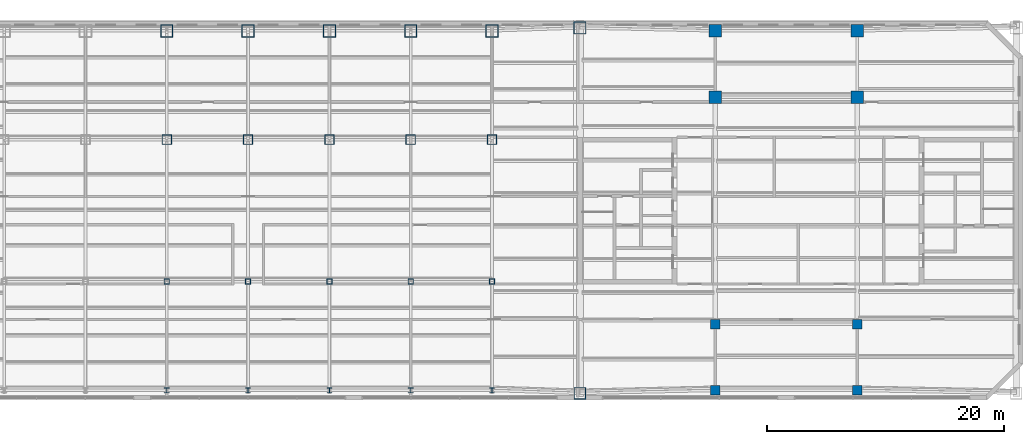
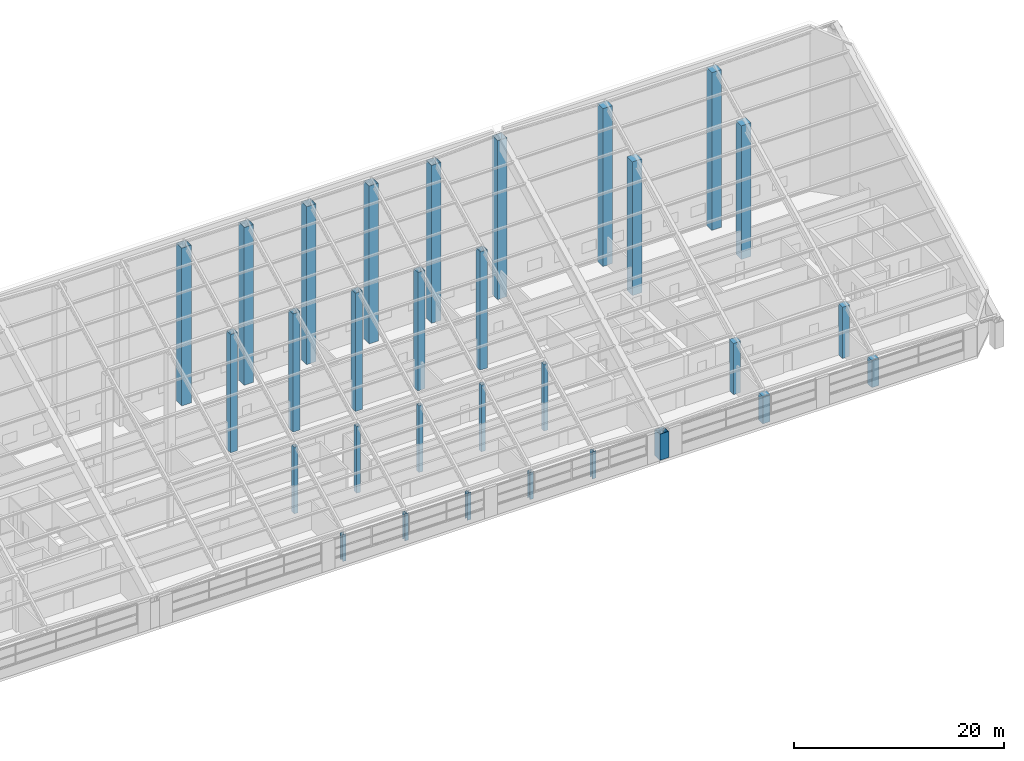
# One storey, part 2 of 28: 30 columns.
"""IFC4 building model written with IfcOpenShell, lengths in metres."""

from ifc_helpers import new_model, si_unit, direction, frame, origin, origin_2d, place, context, subcontext, project, spatial, rectangle, hollow_rectangle, i_section, extrude, material, material_profile, profile_set, type_object, element, save


model = new_model("IFC4")

# Units and contexts
model_context = context("Model", 3, precision=1e-05, world=origin(), true_north=direction((0.0, 1.0)))
body_context = subcontext(model_context, "Body", "Model", "MODEL_VIEW")
ifc_project = project(units=[si_unit("LENGTHUNIT", "METRE"), si_unit("AREAUNIT", "SQUARE_METRE"), si_unit("VOLUMEUNIT", "CUBIC_METRE"), si_unit("PLANEANGLEUNIT", "RADIAN"), si_unit("MASSUNIT", "GRAM", prefix="KILO")], contexts=[model_context])

# Site, building, storey
site_placement = place(None, origin())
site = spatial("IfcSite", under=ifc_project, at=site_placement, CompositionType="ELEMENT")
building_placement = place(site_placement, origin())
building = spatial("IfcBuilding", under=site, at=building_placement, Name="Tuart Gate Housing", CompositionType="ELEMENT")
storey_placement = place(building_placement, frame((0.0, 0.0, 243.89990234375)))
storey = spatial("IfcBuildingStorey", under=building, at=storey_placement, Name="L68", CompositionType="ELEMENT", Elevation=243.89990234375)

# Columns
ifc_material_1 = material(Name="Steel Grade 350", Category="steel")
ifc_material_profile_1 = material_profile(ifc_material_1, i_section(OverallWidth=0.39990234375, OverallDepth=0.429931640625, WebThickness=0.028076171875, FlangeThickness=0.0400390625, at=origin_2d()), Name="400WC328")
ifc_profile_set_1 = profile_set([ifc_material_profile_1], Name="Steel Grade 350")
column_type_1 = type_object("IfcColumnType", Name="Link column 400 WC328", PredefinedType="COLUMN", material=ifc_profile_set_1)
for number, where, z_axis, x_axis, name in (
    (1, (96.625, 54.800048828125, 0.0), (0.0, 0.0, 1.0), (1.0, 0.0, 0.0), "Link column line 1 point 3 L68"),
    (2, (103.5, 54.800048828125, 0.0), (0.0, 0.0, 1.0), (1.0, 0.0, 0.0), "Link column line 1 point 4 L68"),
    (3, (110.375, 54.800048828125, 0.0), (0.0, 0.0, 1.0), (1.0, 0.0, 0.0), "Link column line 1 point 5 L68"),
    (4, (117.25, 54.800048828125, 0.0), (0.0, 0.0, 1.0), (1.0, 0.0, 0.0), "Link column line 1 point 6 L68"),
    (5, (124.125, 54.800048828125, 0.0), (0.0, 0.0, 1.0), (1.0, 0.0, 0.0), "Link column line 1 point 7 L68"),
):
    element("IfcColumn", number, at=place(storey_placement, frame(where, z_axis=z_axis, x_axis=x_axis)), inside=storey, type_object=column_type_1, Name=name, PredefinedType="COLUMN", context=body_context, shape_type="SweptSolid", body=[
        extrude(i_section(OverallWidth=0.39990234375, OverallDepth=0.429931640625, WebThickness=0.028076171875, FlangeThickness=0.0400390625, at=origin_2d()), origin(), (0.0, 0.0, 1.0), 3.16259765625),
    ])
ifc_material_2 = material(Name="Steel Grade 350", Category="steel")
ifc_material_profile_2 = material_profile(ifc_material_2, hollow_rectangle(XDim=1.050048828125, YDim=1.050048828125, WallThickness=0.0439453125, at=origin_2d()), Name="BOX 1050x1050x44")
ifc_profile_set_2 = profile_set([ifc_material_profile_2], Name="Steel Grade 350")
column_type_2 = type_object("IfcColumnType", Name="Link column BOX 1050x1050x44", PredefinedType="COLUMN", material=ifc_profile_set_2)
for number, where, z_axis, x_axis, name in (
    (6, (96.625, 85.199951171875, 0.0), (0.0, 0.0, 1.0), (1.0, 0.0, 0.0), "Link column line 4 point 3 L68"),
    (7, (103.5, 85.199951171875, 0.0), (0.0, 0.0, 1.0), (1.0, 0.0, 0.0), "Link column line 4 point 4 L68"),
    (8, (110.375, 85.199951171875, 0.0), (0.0, 0.0, 1.0), (1.0, 0.0, 0.0), "Link column line 4 point 5 L68"),
    (9, (117.25, 85.199951171875, 0.0), (0.0, 0.0, 1.0), (1.0, 0.0, 0.0), "Link column line 4 point 6 L68"),
    (10, (124.125, 85.199951171875, 0.0), (0.0, 0.0, 1.0), (1.0, 0.0, 0.0), "Link column line 4 point 7 L68"),
):
    element("IfcColumn", number, at=place(storey_placement, frame(where, z_axis=z_axis, x_axis=x_axis)), inside=storey, type_object=column_type_2, Name=name, PredefinedType="COLUMN", context=body_context, shape_type="SweptSolid", body=[
        extrude(hollow_rectangle(XDim=1.050048828125, YDim=1.050048828125, WallThickness=0.0439453125, at=origin_2d()), origin(), (0.0, 0.0, 1.0), 18.36279296875),
    ])
ifc_material_3 = material(Name="Steel Grade 350", Category="steel")
ifc_material_profile_3 = material_profile(ifc_material_3, hollow_rectangle(XDim=0.449951171875, YDim=0.449951171875, WallThickness=0.02490234375, at=origin_2d()), Name="BOX 450x450x25")
ifc_profile_set_3 = profile_set([ifc_material_profile_3], Name="Steel Grade 350")
column_type_3 = type_object("IfcColumnType", Name="Link column BOX 450x450x25", PredefinedType="COLUMN", material=ifc_profile_set_3)
for number, where, z_axis, x_axis, name in (
    (11, (96.625, 64.0, 0.0), (0.0, 0.0, 1.0), (1.0, 0.0, 0.0), "Link column line 2 point 3 L68"),
    (12, (103.5, 64.0, 0.0), (0.0, 0.0, 1.0), (1.0, 0.0, 0.0), "Link column line 2 point 4 L68"),
    (13, (110.375, 64.0, 0.0), (0.0, 0.0, 1.0), (1.0, 0.0, 0.0), "Link column line 2 point 5 L68"),
    (14, (117.25, 64.0, 0.0), (0.0, 0.0, 1.0), (1.0, 0.0, 0.0), "Link column line 2 point 6 L68"),
    (15, (124.125, 64.0, 0.0), (0.0, 0.0, 1.0), (1.0, 0.0, 0.0), "Link column line 2 point 7 L68"),
):
    element("IfcColumn", number, at=place(storey_placement, frame(where, z_axis=z_axis, x_axis=x_axis)), inside=storey, type_object=column_type_3, Name=name, PredefinedType="COLUMN", context=body_context, shape_type="SweptSolid", body=[
        extrude(hollow_rectangle(XDim=0.449951171875, YDim=0.449951171875, WallThickness=0.02490234375, at=origin_2d()), origin(), (0.0, 0.0, 1.0), 7.7626953125),
    ])
ifc_material_4 = material(Name="Steel Grade 350", Category="steel")
ifc_material_profile_4 = material_profile(ifc_material_4, hollow_rectangle(XDim=0.800048828125, YDim=0.800048828125, WallThickness=0.032958984375, at=origin_2d()), Name="BOX 800x800x33")
ifc_profile_set_4 = profile_set([ifc_material_profile_4], Name="Steel Grade 350")
column_type_4 = type_object("IfcColumnType", Name="Link column BOX 800x800x33", PredefinedType="COLUMN", material=ifc_profile_set_4)
for number, where, z_axis, x_axis, name in (
    (16, (96.625, 76.0, 0.0), (0.0, 0.0, 1.0), (1.0, 0.0, 0.0), "Link column line 3 point 3 L68"),
    (17, (103.5, 76.0, 0.0), (0.0, 0.0, 1.0), (1.0, 0.0, 0.0), "Link column line 3 point 4 L68"),
    (18, (110.375, 76.0, 0.0), (0.0, 0.0, 1.0), (1.0, 0.0, 0.0), "Link column line 3 point 5 L68"),
    (19, (117.25, 76.0, 0.0), (0.0, 0.0, 1.0), (1.0, 0.0, 0.0), "Link column line 3 point 6 L68"),
    (20, (124.125, 76.0, 0.0), (0.0, 0.0, 1.0), (1.0, 0.0, 0.0), "Link column line 3 point 7 L68"),
):
    element("IfcColumn", number, at=place(storey_placement, frame(where, z_axis=z_axis, x_axis=x_axis)), inside=storey, type_object=column_type_4, Name=name, PredefinedType="COLUMN", context=body_context, shape_type="SweptSolid", body=[
        extrude(hollow_rectangle(XDim=0.800048828125, YDim=0.800048828125, WallThickness=0.032958984375, at=origin_2d()), origin(), (0.0, 0.0, 1.0), 13.7626953125),
    ])
ifc_material_5 = material(Name="Steel Grade 350", Category="steel")
ifc_material_profile_5 = material_profile(ifc_material_5, hollow_rectangle(XDim=1.0, YDim=1.0, WallThickness=0.054931640625, at=origin_2d()), Name="BOX 1000x1000x55")
ifc_profile_set_5 = profile_set([ifc_material_profile_5], Name="Steel Grade 350")
column_type_5 = type_object("IfcColumnType", Name="Mega column BOX 1000x1000x55", PredefinedType="COLUMN", material=ifc_profile_set_5)
column_1_placement = place(storey_placement, frame((131.550048828125, 54.550048828125, 0.0), z_axis=(0.0, 0.0, 1.0), x_axis=(1.0, 0.0, 0.0)))
element("IfcColumn", 21, at=column_1_placement, inside=storey, type_object=column_type_5, Name="Mega column B south-west L68", PredefinedType="COLUMN", context=body_context, shape_type="SweptSolid", body=[
    extrude(hollow_rectangle(XDim=1.0, YDim=1.0, WallThickness=0.054931640625, at=origin_2d()), origin(), (0.0, 0.0, 1.0), 3.03759765625),
])
ifc_material_6 = material(Name="Steel Grade 350", Category="steel")
ifc_material_profile_6 = material_profile(ifc_material_6, hollow_rectangle(XDim=1.050048828125, YDim=1.050048828125, WallThickness=0.052978515625, at=origin_2d()), Name="BOX 1050x1050x53")
ifc_profile_set_6 = profile_set([ifc_material_profile_6], Name="Steel Grade 350")
column_type_6 = type_object("IfcColumnType", Name="Mega column BOX 1050x1050x53", PredefinedType="COLUMN", material=ifc_profile_set_6)
column_2_placement = place(storey_placement, frame((131.550048828125, 85.449951171875, 0.0), z_axis=(0.0, 0.0, 1.0), x_axis=(1.0, 0.0, 0.0)))
element("IfcColumn", 22, at=column_2_placement, inside=storey, type_object=column_type_6, Name="Mega column B north-west L68", PredefinedType="COLUMN", context=body_context, shape_type="SweptSolid", body=[
    extrude(hollow_rectangle(XDim=1.050048828125, YDim=1.050048828125, WallThickness=0.052978515625, at=origin_2d()), origin(), (0.0, 0.0, 1.0), 18.48779296875),
])
ifc_material_7 = material(Name="Concrete C50", Category="concrete")
ifc_material_profile_7 = material_profile(ifc_material_7, rectangle(XDim=1.050048828125, YDim=1.050048828125, at=origin_2d()), Name="RC column 1050 x 1050")
ifc_profile_set_7 = profile_set([ifc_material_profile_7], Name="Concrete C50")
column_type_7 = type_object("IfcColumnType", Name="RC column 1050 x 1050", PredefinedType="COLUMN", material=ifc_profile_set_7)
column_3_placement = place(storey_placement, frame((143.0, 79.60009765625, 0.0), z_axis=(0.0, 0.0, 1.0), x_axis=(1.0, 0.0, 0.0)))
element("IfcColumn", 23, at=column_3_placement, inside=storey, type_object=column_type_7, Name="RC column 27 L68", PredefinedType="COLUMN", context=body_context, shape_type="SweptSolid", body=[
    extrude(rectangle(XDim=1.050048828125, YDim=1.050048828125, at=origin_2d()), origin(), (0.0, 0.0, 1.0), 15.562744140625),
])
column_4_placement = place(storey_placement, frame((143.0, 85.199951171875, 0.0), z_axis=(0.0, 0.0, 1.0), x_axis=(1.0, 0.0, 0.0)))
element("IfcColumn", 24, at=column_4_placement, inside=storey, type_object=column_type_7, Name="RC column 28 L68", PredefinedType="COLUMN", context=body_context, shape_type="SweptSolid", body=[
    extrude(rectangle(XDim=1.050048828125, YDim=1.050048828125, at=origin_2d()), origin(), (0.0, 0.0, 1.0), 18.36279296875),
])
column_5_placement = place(storey_placement, frame((155.0, 79.60009765625, 0.0), z_axis=(0.0, 0.0, 1.0), x_axis=(1.0, 0.0, 0.0)))
element("IfcColumn", 25, at=column_5_placement, inside=storey, type_object=column_type_7, Name="RC column 31 L68", PredefinedType="COLUMN", context=body_context, shape_type="SweptSolid", body=[
    extrude(rectangle(XDim=1.050048828125, YDim=1.050048828125, at=origin_2d()), origin(), (0.0, 0.0, 1.0), 15.562744140625),
])
column_6_placement = place(storey_placement, frame((155.0, 85.199951171875, 0.0), z_axis=(0.0, 0.0, 1.0), x_axis=(1.0, 0.0, 0.0)))
element("IfcColumn", 26, at=column_6_placement, inside=storey, type_object=column_type_7, Name="RC column 32 L68", PredefinedType="COLUMN", context=body_context, shape_type="SweptSolid", body=[
    extrude(rectangle(XDim=1.050048828125, YDim=1.050048828125, at=origin_2d()), origin(), (0.0, 0.0, 1.0), 18.36279296875),
])
ifc_material_8 = material(Name="Concrete C50", Category="concrete")
ifc_material_profile_8 = material_profile(ifc_material_8, rectangle(XDim=0.800048828125, YDim=0.800048828125, at=origin_2d()), Name="RC column 800 x 800")
ifc_profile_set_8 = profile_set([ifc_material_profile_8], Name="Concrete C50")
column_type_8 = type_object("IfcColumnType", Name="RC column 800 x 800", PredefinedType="COLUMN", material=ifc_profile_set_8)
for number, where, z_axis, x_axis, name in (
    (27, (143.0, 54.800048828125, 0.0), (0.0, 0.0, 1.0), (1.0, 0.0, 0.0), "RC column 25 L68"),
    (28, (155.0, 54.800048828125, 0.0), (0.0, 0.0, 1.0), (1.0, 0.0, 0.0), "RC column 29 L68"),
):
    element("IfcColumn", number, at=place(storey_placement, frame(where, z_axis=z_axis, x_axis=x_axis)), inside=storey, type_object=column_type_8, Name=name, PredefinedType="COLUMN", context=body_context, shape_type="SweptSolid", body=[
        extrude(rectangle(XDim=0.800048828125, YDim=0.800048828125, at=origin_2d()), origin(), (0.0, 0.0, 1.0), 3.16259765625),
    ])
ifc_material_9 = material(Name="Concrete C50", Category="concrete")
ifc_material_profile_9 = material_profile(ifc_material_9, rectangle(XDim=0.800048828125, YDim=0.800048828125, at=origin_2d()), Name="RC column 800 x 800 (5.6-6.7 m)")
ifc_profile_set_9 = profile_set([ifc_material_profile_9], Name="Concrete C50")
column_type_9 = type_object("IfcColumnType", Name="RC column 800 x 800 (5.6-6.7 m)", PredefinedType="COLUMN", material=ifc_profile_set_9)
for number, where, z_axis, x_axis, name in (
    (29, (143.0, 60.39990234375, 0.0), (0.0, 0.0, 1.0), (1.0, 0.0, 0.0), "RC column 26 L68"),
    (30, (155.0, 60.39990234375, 0.0), (0.0, 0.0, 1.0), (1.0, 0.0, 0.0), "RC column 30 L68"),
):
    element("IfcColumn", number, at=place(storey_placement, frame(where, z_axis=z_axis, x_axis=x_axis)), inside=storey, type_object=column_type_9, Name=name, PredefinedType="COLUMN", context=body_context, shape_type="SweptSolid", body=[
        extrude(rectangle(XDim=0.800048828125, YDim=0.800048828125, at=origin_2d()), origin(), (0.0, 0.0, 1.0), 5.962646484375),
    ])

save(model, "model.ifc")
